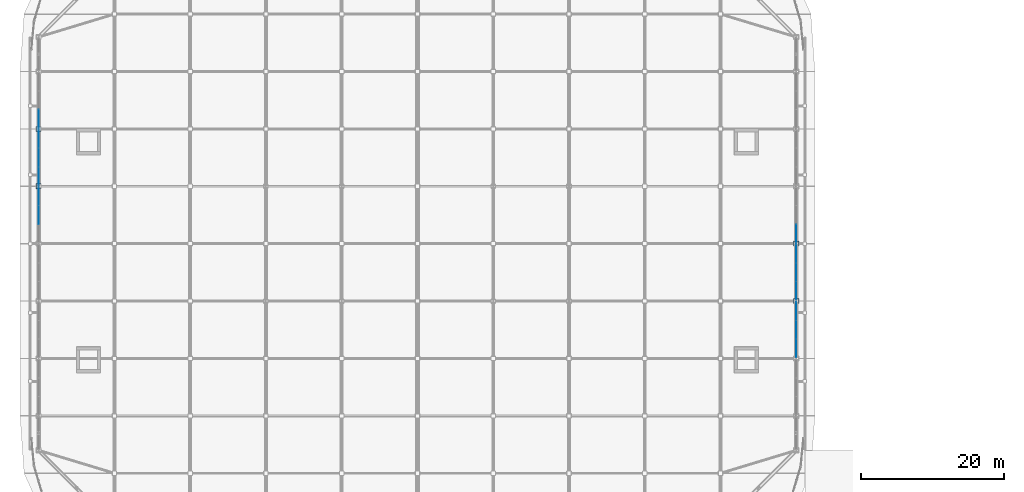
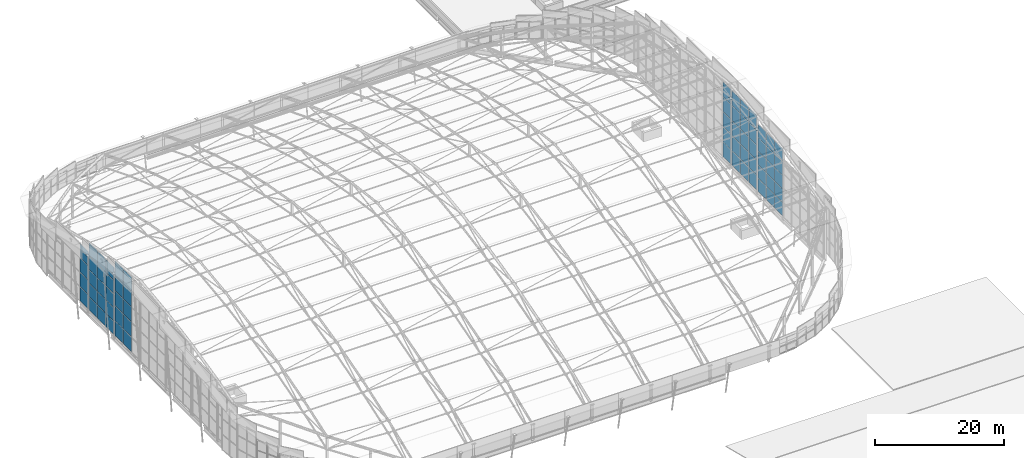
# One storey, part 35 of 42: 68 plates, 6 elements without a shape of their own.
"""IFC4 building model written with IfcOpenShell, lengths in metres."""

from ifc_helpers import new_model, si_unit, direction, frame, origin, origin_2d, place, context, subcontext, project, spatial, rectangle, extrude, material, layer, layer_set, type_object, element, aggregate, save


model = new_model("IFC4")

# Units and contexts
model_context = context("Model", 3, precision=1e-05, world=origin(), true_north=direction((0.0, 1.0)))
body_context = subcontext(model_context, "Body", "Model", "MODEL_VIEW")
ifc_project = project(units=[si_unit("LENGTHUNIT", "METRE"), si_unit("AREAUNIT", "SQUARE_METRE"), si_unit("VOLUMEUNIT", "CUBIC_METRE"), si_unit("PLANEANGLEUNIT", "RADIAN"), si_unit("MASSUNIT", "GRAM", prefix="KILO")], contexts=[model_context])

# Site, building, storey
site_placement = place(None, origin())
site = spatial("IfcSite", under=ifc_project, at=site_placement, CompositionType="ELEMENT")
building_placement = place(site_placement, origin())
building = spatial("IfcBuilding", under=site, at=building_placement, Name="Caelomonte Colonnade Arena", CompositionType="ELEMENT")
storey_placement = place(building_placement, frame((0.0, 0.0, 28.199951171875)))
storey = spatial("IfcBuildingStorey", under=building, at=storey_placement, Name="RF", CompositionType="ELEMENT", Elevation=28.199951171875)

# Curtain wall, plates
ifc_material_1 = material(Name="Bronze anodised aluminium and low-E glazing", Category="aluminium")
ifc_layer_1 = layer(ifc_material_1, 0.179931640625)
ifc_layer_set_1 = layer_set([ifc_layer_1], Name="Bronze anodised aluminium and low-E glazing")
curtain_wall_type_1 = type_object("IfcCurtainWallType", Name="ENV-CW-CW-TYMP-05", PredefinedType="USERDEFINED", material=ifc_layer_set_1)
curtain_wall_1_placement = place(storey_placement, origin())
curtain_wall_1 = element("IfcCurtainWall", 1, at=curtain_wall_1_placement, inside=storey, type_object=curtain_wall_type_1, Name="Barrel arch W clerestory tympanum curtain wall 5", ObjectType="UNITIZED CURTAIN WALL", PredefinedType="USERDEFINED")
ifc_material_2 = material(Name="Solar-control bronze low-E double glazing", Category="glass")
ifc_layer_2 = layer(ifc_material_2, 0.035888671875)
ifc_layer_set_2 = layer_set([ifc_layer_2], Name="Solar-control bronze low-E double glazing")
plate_type_1 = type_object("IfcPlateType", Name="ENV-CW-PAN36", PredefinedType="CURTAIN_PANEL", material=ifc_layer_set_2)
plate_1_placement = place(storey_placement, frame((57.60009765625, 73.7958984375, -0.079833984375), z_axis=(0.0, 0.0, 1.0), x_axis=(0.0, -1.0, 0.0)))
plate_1 = element("IfcPlate", 2, at=plate_1_placement, type_object=plate_type_1, Name="CW-TYMP-05 panel 1.1", PredefinedType="CURTAIN_PANEL", context=body_context, shape_type="SweptSolid", body=[
    extrude(rectangle(XDim=2.50830078125, YDim=0.035888671875, at=origin_2d()), origin(), (0.0, 0.0, 1.0), 2.751953125),
])
plate_2_placement = place(storey_placement, frame((57.60009765625, 73.7958984375, 2.741943359375), z_axis=(0.0, 0.0, 1.0), x_axis=(0.0, -1.0, 0.0)))
plate_2 = element("IfcPlate", 3, at=plate_2_placement, type_object=plate_type_1, Name="CW-TYMP-05 panel 1.2", PredefinedType="CURTAIN_PANEL", context=body_context, shape_type="SweptSolid", body=[
    extrude(rectangle(XDim=2.50830078125, YDim=0.035888671875, at=origin_2d()), origin(), (0.0, 0.0, 1.0), 2.787109375),
])
plate_3_placement = place(storey_placement, frame((57.60009765625, 73.7958984375, 5.598876953125), z_axis=(0.0, 0.0, 1.0), x_axis=(0.0, -1.0, 0.0)))
plate_3 = element("IfcPlate", 4, at=plate_3_placement, type_object=plate_type_1, Name="CW-TYMP-05 panel 1.3", PredefinedType="CURTAIN_PANEL", context=body_context, shape_type="SweptSolid", body=[
    extrude(rectangle(XDim=2.50830078125, YDim=0.035888671875, at=origin_2d()), origin(), (0.0, 0.0, 1.0), 2.787109375),
])
plate_4_placement = place(storey_placement, frame((57.60009765625, 73.7958984375, 8.4560546875), z_axis=(0.0, 0.0, 1.0), x_axis=(0.0, -1.0, 0.0)))
plate_4 = element("IfcPlate", 5, at=plate_4_placement, type_object=plate_type_1, Name="CW-TYMP-05 panel 1.4", PredefinedType="CURTAIN_PANEL", context=body_context, shape_type="SweptSolid", body=[
    extrude(rectangle(XDim=2.50830078125, YDim=0.035888671875, at=origin_2d()), origin(), (0.0, 0.0, 1.0), 2.787109375),
])
plate_5_placement = place(storey_placement, frame((57.60009765625, 73.7958984375, 11.31298828125), z_axis=(0.0, 0.0, 1.0), x_axis=(0.0, -1.0, 0.0)))
plate_5 = element("IfcPlate", 6, at=plate_5_placement, type_object=plate_type_1, Name="CW-TYMP-05 panel 1.5", PredefinedType="CURTAIN_PANEL", context=body_context, shape_type="SweptSolid", body=[
    extrude(rectangle(XDim=2.50830078125, YDim=0.035888671875, at=origin_2d()), origin(), (0.0, 0.0, 1.0), 2.751953125),
])
plate_6_placement = place(storey_placement, frame((57.60009765625, 71.199951171875, -0.079833984375), z_axis=(0.0, 0.0, 1.0), x_axis=(0.0, -1.0, 0.0)))
plate_6 = element("IfcPlate", 7, at=plate_6_placement, type_object=plate_type_1, Name="CW-TYMP-05 panel 2.1", PredefinedType="CURTAIN_PANEL", context=body_context, shape_type="SweptSolid", body=[
    extrude(rectangle(XDim=2.543212890625, YDim=0.035888671875, at=origin_2d()), origin(), (0.0, 0.0, 1.0), 2.751953125),
])
plate_7_placement = place(storey_placement, frame((57.60009765625, 71.199951171875, 2.741943359375), z_axis=(0.0, 0.0, 1.0), x_axis=(0.0, -1.0, 0.0)))
plate_7 = element("IfcPlate", 8, at=plate_7_placement, type_object=plate_type_1, Name="CW-TYMP-05 panel 2.2", PredefinedType="CURTAIN_PANEL", context=body_context, shape_type="SweptSolid", body=[
    extrude(rectangle(XDim=2.543212890625, YDim=0.035888671875, at=origin_2d()), origin(), (0.0, 0.0, 1.0), 2.787109375),
])
plate_8_placement = place(storey_placement, frame((57.60009765625, 71.199951171875, 5.598876953125), z_axis=(0.0, 0.0, 1.0), x_axis=(0.0, -1.0, 0.0)))
plate_8 = element("IfcPlate", 9, at=plate_8_placement, type_object=plate_type_1, Name="CW-TYMP-05 panel 2.3", PredefinedType="CURTAIN_PANEL", context=body_context, shape_type="SweptSolid", body=[
    extrude(rectangle(XDim=2.543212890625, YDim=0.035888671875, at=origin_2d()), origin(), (0.0, 0.0, 1.0), 2.787109375),
])
plate_9_placement = place(storey_placement, frame((57.60009765625, 71.199951171875, 8.4560546875), z_axis=(0.0, 0.0, 1.0), x_axis=(0.0, -1.0, 0.0)))
plate_9 = element("IfcPlate", 10, at=plate_9_placement, type_object=plate_type_1, Name="CW-TYMP-05 panel 2.4", PredefinedType="CURTAIN_PANEL", context=body_context, shape_type="SweptSolid", body=[
    extrude(rectangle(XDim=2.543212890625, YDim=0.035888671875, at=origin_2d()), origin(), (0.0, 0.0, 1.0), 2.787109375),
])
plate_10_placement = place(storey_placement, frame((57.60009765625, 71.199951171875, 11.31298828125), z_axis=(0.0, 0.0, 1.0), x_axis=(0.0, -1.0, 0.0)))
plate_10 = element("IfcPlate", 11, at=plate_10_placement, type_object=plate_type_1, Name="CW-TYMP-05 panel 2.5", PredefinedType="CURTAIN_PANEL", context=body_context, shape_type="SweptSolid", body=[
    extrude(rectangle(XDim=2.543212890625, YDim=0.035888671875, at=origin_2d()), origin(), (0.0, 0.0, 1.0), 2.751953125),
])
aggregate(curtain_wall_1, [plate_1, plate_2, plate_3, plate_4, plate_5, plate_6, plate_7, plate_8, plate_9, plate_10])

ifc_layer_3 = layer(ifc_material_1, 0.179931640625)
ifc_layer_set_3 = layer_set([ifc_layer_3], Name="Bronze anodised aluminium and low-E glazing")
curtain_wall_type_2 = type_object("IfcCurtainWallType", Name="ENV-CW-CW-TYMP-06", PredefinedType="USERDEFINED", material=ifc_layer_set_3)
curtain_wall_2_placement = place(storey_placement, origin())
curtain_wall_2 = element("IfcCurtainWall", 12, at=curtain_wall_2_placement, inside=storey, type_object=curtain_wall_type_2, Name="Barrel arch W clerestory tympanum curtain wall 6", ObjectType="UNITIZED CURTAIN WALL", PredefinedType="USERDEFINED")
plate_11_placement = place(storey_placement, frame((57.60009765625, 81.7958984375, -0.080078125), z_axis=(0.0, 0.0, 1.0), x_axis=(0.0, -1.0, 0.0)))
plate_11 = element("IfcPlate", 13, at=plate_11_placement, type_object=plate_type_1, Name="CW-TYMP-06 panel 1.1", PredefinedType="CURTAIN_PANEL", context=body_context, shape_type="SweptSolid", body=[
    extrude(rectangle(XDim=2.50830078125, YDim=0.035888671875, at=origin_2d()), origin(), (0.0, 0.0, 1.0), 2.462158203125),
])
plate_12_placement = place(storey_placement, frame((57.60009765625, 81.7958984375, 2.4521484375), z_axis=(0.0, 0.0, 1.0), x_axis=(0.0, -1.0, 0.0)))
plate_12 = element("IfcPlate", 14, at=plate_12_placement, type_object=plate_type_1, Name="CW-TYMP-06 panel 1.2", PredefinedType="CURTAIN_PANEL", context=body_context, shape_type="SweptSolid", body=[
    extrude(rectangle(XDim=2.50830078125, YDim=0.035888671875, at=origin_2d()), origin(), (0.0, 0.0, 1.0), 2.497314453125),
])
plate_13_placement = place(storey_placement, frame((57.60009765625, 81.7958984375, 5.01953125), z_axis=(0.0, 0.0, 1.0), x_axis=(0.0, -1.0, 0.0)))
plate_13 = element("IfcPlate", 15, at=plate_13_placement, type_object=plate_type_1, Name="CW-TYMP-06 panel 1.3", PredefinedType="CURTAIN_PANEL", context=body_context, shape_type="SweptSolid", body=[
    extrude(rectangle(XDim=2.50830078125, YDim=0.035888671875, at=origin_2d()), origin(), (0.0, 0.0, 1.0), 2.497314453125),
])
plate_14_placement = place(storey_placement, frame((57.60009765625, 81.7958984375, 7.58642578125), z_axis=(0.0, 0.0, 1.0), x_axis=(0.0, -1.0, 0.0)))
plate_14 = element("IfcPlate", 16, at=plate_14_placement, type_object=plate_type_1, Name="CW-TYMP-06 panel 1.4", PredefinedType="CURTAIN_PANEL", context=body_context, shape_type="SweptSolid", body=[
    extrude(rectangle(XDim=2.50830078125, YDim=0.035888671875, at=origin_2d()), origin(), (0.0, 0.0, 1.0), 2.497314453125),
])
plate_15_placement = place(storey_placement, frame((57.60009765625, 81.7958984375, 10.15380859375), z_axis=(0.0, 0.0, 1.0), x_axis=(0.0, -1.0, 0.0)))
plate_15 = element("IfcPlate", 17, at=plate_15_placement, type_object=plate_type_1, Name="CW-TYMP-06 panel 1.5", PredefinedType="CURTAIN_PANEL", context=body_context, shape_type="SweptSolid", body=[
    extrude(rectangle(XDim=2.50830078125, YDim=0.035888671875, at=origin_2d()), origin(), (0.0, 0.0, 1.0), 2.462158203125),
])
plate_16_placement = place(storey_placement, frame((57.60009765625, 79.199951171875, -0.080078125), z_axis=(0.0, 0.0, 1.0), x_axis=(0.0, -1.0, 0.0)))
plate_16 = element("IfcPlate", 18, at=plate_16_placement, type_object=plate_type_1, Name="CW-TYMP-06 panel 2.1", PredefinedType="CURTAIN_PANEL", context=body_context, shape_type="SweptSolid", body=[
    extrude(rectangle(XDim=2.543212890625, YDim=0.035888671875, at=origin_2d()), origin(), (0.0, 0.0, 1.0), 2.462158203125),
])
plate_17_placement = place(storey_placement, frame((57.60009765625, 79.199951171875, 2.4521484375), z_axis=(0.0, 0.0, 1.0), x_axis=(0.0, -1.0, 0.0)))
plate_17 = element("IfcPlate", 19, at=plate_17_placement, type_object=plate_type_1, Name="CW-TYMP-06 panel 2.2", PredefinedType="CURTAIN_PANEL", context=body_context, shape_type="SweptSolid", body=[
    extrude(rectangle(XDim=2.543212890625, YDim=0.035888671875, at=origin_2d()), origin(), (0.0, 0.0, 1.0), 2.497314453125),
])
plate_18_placement = place(storey_placement, frame((57.60009765625, 79.199951171875, 5.01953125), z_axis=(0.0, 0.0, 1.0), x_axis=(0.0, -1.0, 0.0)))
plate_18 = element("IfcPlate", 20, at=plate_18_placement, type_object=plate_type_1, Name="CW-TYMP-06 panel 2.3", PredefinedType="CURTAIN_PANEL", context=body_context, shape_type="SweptSolid", body=[
    extrude(rectangle(XDim=2.543212890625, YDim=0.035888671875, at=origin_2d()), origin(), (0.0, 0.0, 1.0), 2.497314453125),
])
plate_19_placement = place(storey_placement, frame((57.60009765625, 79.199951171875, 7.58642578125), z_axis=(0.0, 0.0, 1.0), x_axis=(0.0, -1.0, 0.0)))
plate_19 = element("IfcPlate", 21, at=plate_19_placement, type_object=plate_type_1, Name="CW-TYMP-06 panel 2.4", PredefinedType="CURTAIN_PANEL", context=body_context, shape_type="SweptSolid", body=[
    extrude(rectangle(XDim=2.543212890625, YDim=0.035888671875, at=origin_2d()), origin(), (0.0, 0.0, 1.0), 2.497314453125),
])
plate_20_placement = place(storey_placement, frame((57.60009765625, 79.199951171875, 10.15380859375), z_axis=(0.0, 0.0, 1.0), x_axis=(0.0, -1.0, 0.0)))
plate_20 = element("IfcPlate", 22, at=plate_20_placement, type_object=plate_type_1, Name="CW-TYMP-06 panel 2.5", PredefinedType="CURTAIN_PANEL", context=body_context, shape_type="SweptSolid", body=[
    extrude(rectangle(XDim=2.543212890625, YDim=0.035888671875, at=origin_2d()), origin(), (0.0, 0.0, 1.0), 2.462158203125),
])
plate_21_placement = place(storey_placement, frame((57.60009765625, 76.604248046875, -0.080078125), z_axis=(0.0, 0.0, 1.0), x_axis=(0.0, -1.0, 0.0)))
plate_21 = element("IfcPlate", 23, at=plate_21_placement, type_object=plate_type_1, Name="CW-TYMP-06 panel 3.1", PredefinedType="CURTAIN_PANEL", context=body_context, shape_type="SweptSolid", body=[
    extrude(rectangle(XDim=2.50830078125, YDim=0.035888671875, at=origin_2d()), origin(), (0.0, 0.0, 1.0), 2.462158203125),
])
plate_22_placement = place(storey_placement, frame((57.60009765625, 76.604248046875, 2.4521484375), z_axis=(0.0, 0.0, 1.0), x_axis=(0.0, -1.0, 0.0)))
plate_22 = element("IfcPlate", 24, at=plate_22_placement, type_object=plate_type_1, Name="CW-TYMP-06 panel 3.2", PredefinedType="CURTAIN_PANEL", context=body_context, shape_type="SweptSolid", body=[
    extrude(rectangle(XDim=2.50830078125, YDim=0.035888671875, at=origin_2d()), origin(), (0.0, 0.0, 1.0), 2.497314453125),
])
plate_23_placement = place(storey_placement, frame((57.60009765625, 76.604248046875, 5.01953125), z_axis=(0.0, 0.0, 1.0), x_axis=(0.0, -1.0, 0.0)))
plate_23 = element("IfcPlate", 25, at=plate_23_placement, type_object=plate_type_1, Name="CW-TYMP-06 panel 3.3", PredefinedType="CURTAIN_PANEL", context=body_context, shape_type="SweptSolid", body=[
    extrude(rectangle(XDim=2.50830078125, YDim=0.035888671875, at=origin_2d()), origin(), (0.0, 0.0, 1.0), 2.497314453125),
])
plate_24_placement = place(storey_placement, frame((57.60009765625, 76.604248046875, 7.58642578125), z_axis=(0.0, 0.0, 1.0), x_axis=(0.0, -1.0, 0.0)))
plate_24 = element("IfcPlate", 26, at=plate_24_placement, type_object=plate_type_1, Name="CW-TYMP-06 panel 3.4", PredefinedType="CURTAIN_PANEL", context=body_context, shape_type="SweptSolid", body=[
    extrude(rectangle(XDim=2.50830078125, YDim=0.035888671875, at=origin_2d()), origin(), (0.0, 0.0, 1.0), 2.497314453125),
])
plate_25_placement = place(storey_placement, frame((57.60009765625, 76.604248046875, 10.15380859375), z_axis=(0.0, 0.0, 1.0), x_axis=(0.0, -1.0, 0.0)))
plate_25 = element("IfcPlate", 27, at=plate_25_placement, type_object=plate_type_1, Name="CW-TYMP-06 panel 3.5", PredefinedType="CURTAIN_PANEL", context=body_context, shape_type="SweptSolid", body=[
    extrude(rectangle(XDim=2.50830078125, YDim=0.035888671875, at=origin_2d()), origin(), (0.0, 0.0, 1.0), 2.462158203125),
])
aggregate(curtain_wall_2, [plate_11, plate_12, plate_13, plate_14, plate_15, plate_16, plate_17, plate_18, plate_19, plate_20, plate_21, plate_22, plate_23, plate_24, plate_25])

ifc_layer_4 = layer(ifc_material_1, 0.179931640625)
ifc_layer_set_4 = layer_set([ifc_layer_4], Name="Bronze anodised aluminium and low-E glazing")
curtain_wall_type_3 = type_object("IfcCurtainWallType", Name="ENV-CW-CW-TYMP-07", PredefinedType="USERDEFINED", material=ifc_layer_set_4)
curtain_wall_3_placement = place(storey_placement, origin())
curtain_wall_3 = element("IfcCurtainWall", 28, at=curtain_wall_3_placement, inside=storey, type_object=curtain_wall_type_3, Name="Barrel arch W clerestory tympanum curtain wall 7", ObjectType="UNITIZED CURTAIN WALL", PredefinedType="USERDEFINED")
plate_26_placement = place(storey_placement, frame((57.60009765625, 84.604248046875, -0.079833984375), z_axis=(0.0, 0.0, 1.0), x_axis=(0.0, -1.0, 0.0)))
plate_26 = element("IfcPlate", 29, at=plate_26_placement, type_object=plate_type_1, Name="CW-TYMP-07 panel 3.1", PredefinedType="CURTAIN_PANEL", context=body_context, shape_type="SweptSolid", body=[
    extrude(rectangle(XDim=2.50830078125, YDim=0.035888671875, at=origin_2d()), origin(), (0.0, 0.0, 1.0), 2.63330078125),
])
plate_27_placement = place(storey_placement, frame((57.60009765625, 84.604248046875, 2.62353515625), z_axis=(0.0, 0.0, 1.0), x_axis=(0.0, -1.0, 0.0)))
plate_27 = element("IfcPlate", 30, at=plate_27_placement, type_object=plate_type_1, Name="CW-TYMP-07 panel 3.2", PredefinedType="CURTAIN_PANEL", context=body_context, shape_type="SweptSolid", body=[
    extrude(rectangle(XDim=2.50830078125, YDim=0.035888671875, at=origin_2d()), origin(), (0.0, 0.0, 1.0), 2.668212890625),
])
plate_28_placement = place(storey_placement, frame((57.60009765625, 84.604248046875, 5.361328125), z_axis=(0.0, 0.0, 1.0), x_axis=(0.0, -1.0, 0.0)))
plate_28 = element("IfcPlate", 31, at=plate_28_placement, type_object=plate_type_1, Name="CW-TYMP-07 panel 3.3", PredefinedType="CURTAIN_PANEL", context=body_context, shape_type="SweptSolid", body=[
    extrude(rectangle(XDim=2.50830078125, YDim=0.035888671875, at=origin_2d()), origin(), (0.0, 0.0, 1.0), 2.668212890625),
])
plate_29_placement = place(storey_placement, frame((57.60009765625, 84.604248046875, 8.099853515625), z_axis=(0.0, 0.0, 1.0), x_axis=(0.0, -1.0, 0.0)))
plate_29 = element("IfcPlate", 32, at=plate_29_placement, type_object=plate_type_1, Name="CW-TYMP-07 panel 3.4", PredefinedType="CURTAIN_PANEL", context=body_context, shape_type="SweptSolid", body=[
    extrude(rectangle(XDim=2.50830078125, YDim=0.035888671875, at=origin_2d()), origin(), (0.0, 0.0, 1.0), 2.63330078125),
])
aggregate(curtain_wall_3, [plate_26, plate_27, plate_28, plate_29])

ifc_layer_5 = layer(ifc_material_1, 0.179931640625)
ifc_layer_set_5 = layer_set([ifc_layer_5], Name="Bronze anodised aluminium and low-E glazing")
curtain_wall_type_4 = type_object("IfcCurtainWallType", Name="ENV-CW-CW-TYMP-03", PredefinedType="USERDEFINED", material=ifc_layer_set_5)
curtain_wall_4_placement = place(storey_placement, origin())
curtain_wall_4 = element("IfcCurtainWall", 33, at=curtain_wall_4_placement, inside=storey, type_object=curtain_wall_type_4, Name="Barrel arch E clerestory tympanum curtain wall 3", ObjectType="UNITIZED CURTAIN WALL", PredefinedType="USERDEFINED")
plate_30_placement = place(storey_placement, frame((163.199951171875, 52.604248046875, -0.080078125), z_axis=(0.0, 0.0, 1.0), x_axis=(0.0, 1.0, 0.0)))
plate_30 = element("IfcPlate", 34, at=plate_30_placement, type_object=plate_type_1, Name="CW-TYMP-03 panel 1.1", PredefinedType="CURTAIN_PANEL", context=body_context, shape_type="SweptSolid", body=[
    extrude(rectangle(XDim=2.50830078125, YDim=0.035888671875, at=origin_2d()), origin(), (0.0, 0.0, 1.0), 2.462158203125),
])
plate_31_placement = place(storey_placement, frame((163.199951171875, 52.604248046875, 2.4521484375), z_axis=(0.0, 0.0, 1.0), x_axis=(0.0, 1.0, 0.0)))
plate_31 = element("IfcPlate", 35, at=plate_31_placement, type_object=plate_type_1, Name="CW-TYMP-03 panel 1.2", PredefinedType="CURTAIN_PANEL", context=body_context, shape_type="SweptSolid", body=[
    extrude(rectangle(XDim=2.50830078125, YDim=0.035888671875, at=origin_2d()), origin(), (0.0, 0.0, 1.0), 2.497314453125),
])
plate_32_placement = place(storey_placement, frame((163.199951171875, 52.604248046875, 5.01953125), z_axis=(0.0, 0.0, 1.0), x_axis=(0.0, 1.0, 0.0)))
plate_32 = element("IfcPlate", 36, at=plate_32_placement, type_object=plate_type_1, Name="CW-TYMP-03 panel 1.3", PredefinedType="CURTAIN_PANEL", context=body_context, shape_type="SweptSolid", body=[
    extrude(rectangle(XDim=2.50830078125, YDim=0.035888671875, at=origin_2d()), origin(), (0.0, 0.0, 1.0), 2.497314453125),
])
plate_33_placement = place(storey_placement, frame((163.199951171875, 52.604248046875, 7.58642578125), z_axis=(0.0, 0.0, 1.0), x_axis=(0.0, 1.0, 0.0)))
plate_33 = element("IfcPlate", 37, at=plate_33_placement, type_object=plate_type_1, Name="CW-TYMP-03 panel 1.4", PredefinedType="CURTAIN_PANEL", context=body_context, shape_type="SweptSolid", body=[
    extrude(rectangle(XDim=2.50830078125, YDim=0.035888671875, at=origin_2d()), origin(), (0.0, 0.0, 1.0), 2.497314453125),
])
plate_34_placement = place(storey_placement, frame((163.199951171875, 52.604248046875, 10.15380859375), z_axis=(0.0, 0.0, 1.0), x_axis=(0.0, 1.0, 0.0)))
plate_34 = element("IfcPlate", 38, at=plate_34_placement, type_object=plate_type_1, Name="CW-TYMP-03 panel 1.5", PredefinedType="CURTAIN_PANEL", context=body_context, shape_type="SweptSolid", body=[
    extrude(rectangle(XDim=2.50830078125, YDim=0.035888671875, at=origin_2d()), origin(), (0.0, 0.0, 1.0), 2.462158203125),
])
plate_35_placement = place(storey_placement, frame((163.199951171875, 55.199951171875, -0.080078125), z_axis=(0.0, 0.0, 1.0), x_axis=(0.0, 1.0, 0.0)))
plate_35 = element("IfcPlate", 39, at=plate_35_placement, type_object=plate_type_1, Name="CW-TYMP-03 panel 2.1", PredefinedType="CURTAIN_PANEL", context=body_context, shape_type="SweptSolid", body=[
    extrude(rectangle(XDim=2.543212890625, YDim=0.035888671875, at=origin_2d()), origin(), (0.0, 0.0, 1.0), 2.462158203125),
])
plate_36_placement = place(storey_placement, frame((163.199951171875, 55.199951171875, 2.4521484375), z_axis=(0.0, 0.0, 1.0), x_axis=(0.0, 1.0, 0.0)))
plate_36 = element("IfcPlate", 40, at=plate_36_placement, type_object=plate_type_1, Name="CW-TYMP-03 panel 2.2", PredefinedType="CURTAIN_PANEL", context=body_context, shape_type="SweptSolid", body=[
    extrude(rectangle(XDim=2.543212890625, YDim=0.035888671875, at=origin_2d()), origin(), (0.0, 0.0, 1.0), 2.497314453125),
])
plate_37_placement = place(storey_placement, frame((163.199951171875, 55.199951171875, 5.01953125), z_axis=(0.0, 0.0, 1.0), x_axis=(0.0, 1.0, 0.0)))
plate_37 = element("IfcPlate", 41, at=plate_37_placement, type_object=plate_type_1, Name="CW-TYMP-03 panel 2.3", PredefinedType="CURTAIN_PANEL", context=body_context, shape_type="SweptSolid", body=[
    extrude(rectangle(XDim=2.543212890625, YDim=0.035888671875, at=origin_2d()), origin(), (0.0, 0.0, 1.0), 2.497314453125),
])
plate_38_placement = place(storey_placement, frame((163.199951171875, 55.199951171875, 7.58642578125), z_axis=(0.0, 0.0, 1.0), x_axis=(0.0, 1.0, 0.0)))
plate_38 = element("IfcPlate", 42, at=plate_38_placement, type_object=plate_type_1, Name="CW-TYMP-03 panel 2.4", PredefinedType="CURTAIN_PANEL", context=body_context, shape_type="SweptSolid", body=[
    extrude(rectangle(XDim=2.543212890625, YDim=0.035888671875, at=origin_2d()), origin(), (0.0, 0.0, 1.0), 2.497314453125),
])
plate_39_placement = place(storey_placement, frame((163.199951171875, 55.199951171875, 10.15380859375), z_axis=(0.0, 0.0, 1.0), x_axis=(0.0, 1.0, 0.0)))
plate_39 = element("IfcPlate", 43, at=plate_39_placement, type_object=plate_type_1, Name="CW-TYMP-03 panel 2.5", PredefinedType="CURTAIN_PANEL", context=body_context, shape_type="SweptSolid", body=[
    extrude(rectangle(XDim=2.543212890625, YDim=0.035888671875, at=origin_2d()), origin(), (0.0, 0.0, 1.0), 2.462158203125),
])
plate_40_placement = place(storey_placement, frame((163.199951171875, 57.7958984375, -0.080078125), z_axis=(0.0, 0.0, 1.0), x_axis=(0.0, 1.0, 0.0)))
plate_40 = element("IfcPlate", 44, at=plate_40_placement, type_object=plate_type_1, Name="CW-TYMP-03 panel 3.1", PredefinedType="CURTAIN_PANEL", context=body_context, shape_type="SweptSolid", body=[
    extrude(rectangle(XDim=2.50830078125, YDim=0.035888671875, at=origin_2d()), origin(), (0.0, 0.0, 1.0), 2.462158203125),
])
plate_41_placement = place(storey_placement, frame((163.199951171875, 57.7958984375, 2.4521484375), z_axis=(0.0, 0.0, 1.0), x_axis=(0.0, 1.0, 0.0)))
plate_41 = element("IfcPlate", 45, at=plate_41_placement, type_object=plate_type_1, Name="CW-TYMP-03 panel 3.2", PredefinedType="CURTAIN_PANEL", context=body_context, shape_type="SweptSolid", body=[
    extrude(rectangle(XDim=2.50830078125, YDim=0.035888671875, at=origin_2d()), origin(), (0.0, 0.0, 1.0), 2.497314453125),
])
plate_42_placement = place(storey_placement, frame((163.199951171875, 57.7958984375, 5.01953125), z_axis=(0.0, 0.0, 1.0), x_axis=(0.0, 1.0, 0.0)))
plate_42 = element("IfcPlate", 46, at=plate_42_placement, type_object=plate_type_1, Name="CW-TYMP-03 panel 3.3", PredefinedType="CURTAIN_PANEL", context=body_context, shape_type="SweptSolid", body=[
    extrude(rectangle(XDim=2.50830078125, YDim=0.035888671875, at=origin_2d()), origin(), (0.0, 0.0, 1.0), 2.497314453125),
])
plate_43_placement = place(storey_placement, frame((163.199951171875, 57.7958984375, 7.58642578125), z_axis=(0.0, 0.0, 1.0), x_axis=(0.0, 1.0, 0.0)))
plate_43 = element("IfcPlate", 47, at=plate_43_placement, type_object=plate_type_1, Name="CW-TYMP-03 panel 3.4", PredefinedType="CURTAIN_PANEL", context=body_context, shape_type="SweptSolid", body=[
    extrude(rectangle(XDim=2.50830078125, YDim=0.035888671875, at=origin_2d()), origin(), (0.0, 0.0, 1.0), 2.497314453125),
])
plate_44_placement = place(storey_placement, frame((163.199951171875, 57.7958984375, 10.15380859375), z_axis=(0.0, 0.0, 1.0), x_axis=(0.0, 1.0, 0.0)))
plate_44 = element("IfcPlate", 48, at=plate_44_placement, type_object=plate_type_1, Name="CW-TYMP-03 panel 3.5", PredefinedType="CURTAIN_PANEL", context=body_context, shape_type="SweptSolid", body=[
    extrude(rectangle(XDim=2.50830078125, YDim=0.035888671875, at=origin_2d()), origin(), (0.0, 0.0, 1.0), 2.462158203125),
])
aggregate(curtain_wall_4, [plate_30, plate_31, plate_32, plate_33, plate_34, plate_35, plate_36, plate_37, plate_38, plate_39, plate_40, plate_41, plate_42, plate_43, plate_44])

ifc_layer_6 = layer(ifc_material_1, 0.179931640625)
ifc_layer_set_6 = layer_set([ifc_layer_6], Name="Bronze anodised aluminium and low-E glazing")
curtain_wall_type_5 = type_object("IfcCurtainWallType", Name="ENV-CW-CW-TYMP-04", PredefinedType="USERDEFINED", material=ifc_layer_set_6)
curtain_wall_5_placement = place(storey_placement, origin())
curtain_wall_5 = element("IfcCurtainWall", 49, at=curtain_wall_5_placement, inside=storey, type_object=curtain_wall_type_5, Name="Barrel arch E clerestory tympanum curtain wall 4", ObjectType="UNITIZED CURTAIN WALL", PredefinedType="USERDEFINED")
plate_45_placement = place(storey_placement, frame((163.199951171875, 60.604248046875, -0.079833984375), z_axis=(0.0, 0.0, 1.0), x_axis=(0.0, 1.0, 0.0)))
plate_45 = element("IfcPlate", 50, at=plate_45_placement, type_object=plate_type_1, Name="CW-TYMP-04 panel 1.1", PredefinedType="CURTAIN_PANEL", context=body_context, shape_type="SweptSolid", body=[
    extrude(rectangle(XDim=2.50830078125, YDim=0.035888671875, at=origin_2d()), origin(), (0.0, 0.0, 1.0), 2.751953125),
])
plate_46_placement = place(storey_placement, frame((163.199951171875, 60.604248046875, 2.741943359375), z_axis=(0.0, 0.0, 1.0), x_axis=(0.0, 1.0, 0.0)))
plate_46 = element("IfcPlate", 51, at=plate_46_placement, type_object=plate_type_1, Name="CW-TYMP-04 panel 1.2", PredefinedType="CURTAIN_PANEL", context=body_context, shape_type="SweptSolid", body=[
    extrude(rectangle(XDim=2.50830078125, YDim=0.035888671875, at=origin_2d()), origin(), (0.0, 0.0, 1.0), 2.787109375),
])
plate_47_placement = place(storey_placement, frame((163.199951171875, 60.604248046875, 5.598876953125), z_axis=(0.0, 0.0, 1.0), x_axis=(0.0, 1.0, 0.0)))
plate_47 = element("IfcPlate", 52, at=plate_47_placement, type_object=plate_type_1, Name="CW-TYMP-04 panel 1.3", PredefinedType="CURTAIN_PANEL", context=body_context, shape_type="SweptSolid", body=[
    extrude(rectangle(XDim=2.50830078125, YDim=0.035888671875, at=origin_2d()), origin(), (0.0, 0.0, 1.0), 2.787109375),
])
plate_48_placement = place(storey_placement, frame((163.199951171875, 60.604248046875, 8.4560546875), z_axis=(0.0, 0.0, 1.0), x_axis=(0.0, 1.0, 0.0)))
plate_48 = element("IfcPlate", 53, at=plate_48_placement, type_object=plate_type_1, Name="CW-TYMP-04 panel 1.4", PredefinedType="CURTAIN_PANEL", context=body_context, shape_type="SweptSolid", body=[
    extrude(rectangle(XDim=2.50830078125, YDim=0.035888671875, at=origin_2d()), origin(), (0.0, 0.0, 1.0), 2.787109375),
])
plate_49_placement = place(storey_placement, frame((163.199951171875, 60.604248046875, 11.31298828125), z_axis=(0.0, 0.0, 1.0), x_axis=(0.0, 1.0, 0.0)))
plate_49 = element("IfcPlate", 54, at=plate_49_placement, type_object=plate_type_1, Name="CW-TYMP-04 panel 1.5", PredefinedType="CURTAIN_PANEL", context=body_context, shape_type="SweptSolid", body=[
    extrude(rectangle(XDim=2.50830078125, YDim=0.035888671875, at=origin_2d()), origin(), (0.0, 0.0, 1.0), 2.751953125),
])
plate_50_placement = place(storey_placement, frame((163.199951171875, 63.199951171875, -0.079833984375), z_axis=(0.0, 0.0, 1.0), x_axis=(0.0, 1.0, 0.0)))
plate_50 = element("IfcPlate", 55, at=plate_50_placement, type_object=plate_type_1, Name="CW-TYMP-04 panel 2.1", PredefinedType="CURTAIN_PANEL", context=body_context, shape_type="SweptSolid", body=[
    extrude(rectangle(XDim=2.543212890625, YDim=0.035888671875, at=origin_2d()), origin(), (0.0, 0.0, 1.0), 2.751953125),
])
plate_51_placement = place(storey_placement, frame((163.199951171875, 63.199951171875, 2.741943359375), z_axis=(0.0, 0.0, 1.0), x_axis=(0.0, 1.0, 0.0)))
plate_51 = element("IfcPlate", 56, at=plate_51_placement, type_object=plate_type_1, Name="CW-TYMP-04 panel 2.2", PredefinedType="CURTAIN_PANEL", context=body_context, shape_type="SweptSolid", body=[
    extrude(rectangle(XDim=2.543212890625, YDim=0.035888671875, at=origin_2d()), origin(), (0.0, 0.0, 1.0), 2.787109375),
])
plate_52_placement = place(storey_placement, frame((163.199951171875, 63.199951171875, 5.598876953125), z_axis=(0.0, 0.0, 1.0), x_axis=(0.0, 1.0, 0.0)))
plate_52 = element("IfcPlate", 57, at=plate_52_placement, type_object=plate_type_1, Name="CW-TYMP-04 panel 2.3", PredefinedType="CURTAIN_PANEL", context=body_context, shape_type="SweptSolid", body=[
    extrude(rectangle(XDim=2.543212890625, YDim=0.035888671875, at=origin_2d()), origin(), (0.0, 0.0, 1.0), 2.787109375),
])
plate_53_placement = place(storey_placement, frame((163.199951171875, 63.199951171875, 8.4560546875), z_axis=(0.0, 0.0, 1.0), x_axis=(0.0, 1.0, 0.0)))
plate_53 = element("IfcPlate", 58, at=plate_53_placement, type_object=plate_type_1, Name="CW-TYMP-04 panel 2.4", PredefinedType="CURTAIN_PANEL", context=body_context, shape_type="SweptSolid", body=[
    extrude(rectangle(XDim=2.543212890625, YDim=0.035888671875, at=origin_2d()), origin(), (0.0, 0.0, 1.0), 2.787109375),
])
plate_54_placement = place(storey_placement, frame((163.199951171875, 63.199951171875, 11.31298828125), z_axis=(0.0, 0.0, 1.0), x_axis=(0.0, 1.0, 0.0)))
plate_54 = element("IfcPlate", 59, at=plate_54_placement, type_object=plate_type_1, Name="CW-TYMP-04 panel 2.5", PredefinedType="CURTAIN_PANEL", context=body_context, shape_type="SweptSolid", body=[
    extrude(rectangle(XDim=2.543212890625, YDim=0.035888671875, at=origin_2d()), origin(), (0.0, 0.0, 1.0), 2.751953125),
])
plate_55_placement = place(storey_placement, frame((163.199951171875, 65.7958984375, -0.079833984375), z_axis=(0.0, 0.0, 1.0), x_axis=(0.0, 1.0, 0.0)))
plate_55 = element("IfcPlate", 60, at=plate_55_placement, type_object=plate_type_1, Name="CW-TYMP-04 panel 3.1", PredefinedType="CURTAIN_PANEL", context=body_context, shape_type="SweptSolid", body=[
    extrude(rectangle(XDim=2.50830078125, YDim=0.035888671875, at=origin_2d()), origin(), (0.0, 0.0, 1.0), 2.751953125),
])
plate_56_placement = place(storey_placement, frame((163.199951171875, 65.7958984375, 2.741943359375), z_axis=(0.0, 0.0, 1.0), x_axis=(0.0, 1.0, 0.0)))
plate_56 = element("IfcPlate", 61, at=plate_56_placement, type_object=plate_type_1, Name="CW-TYMP-04 panel 3.2", PredefinedType="CURTAIN_PANEL", context=body_context, shape_type="SweptSolid", body=[
    extrude(rectangle(XDim=2.50830078125, YDim=0.035888671875, at=origin_2d()), origin(), (0.0, 0.0, 1.0), 2.787109375),
])
plate_57_placement = place(storey_placement, frame((163.199951171875, 65.7958984375, 5.598876953125), z_axis=(0.0, 0.0, 1.0), x_axis=(0.0, 1.0, 0.0)))
plate_57 = element("IfcPlate", 62, at=plate_57_placement, type_object=plate_type_1, Name="CW-TYMP-04 panel 3.3", PredefinedType="CURTAIN_PANEL", context=body_context, shape_type="SweptSolid", body=[
    extrude(rectangle(XDim=2.50830078125, YDim=0.035888671875, at=origin_2d()), origin(), (0.0, 0.0, 1.0), 2.787109375),
])
plate_58_placement = place(storey_placement, frame((163.199951171875, 65.7958984375, 8.4560546875), z_axis=(0.0, 0.0, 1.0), x_axis=(0.0, 1.0, 0.0)))
plate_58 = element("IfcPlate", 63, at=plate_58_placement, type_object=plate_type_1, Name="CW-TYMP-04 panel 3.4", PredefinedType="CURTAIN_PANEL", context=body_context, shape_type="SweptSolid", body=[
    extrude(rectangle(XDim=2.50830078125, YDim=0.035888671875, at=origin_2d()), origin(), (0.0, 0.0, 1.0), 2.787109375),
])
plate_59_placement = place(storey_placement, frame((163.199951171875, 65.7958984375, 11.31298828125), z_axis=(0.0, 0.0, 1.0), x_axis=(0.0, 1.0, 0.0)))
plate_59 = element("IfcPlate", 64, at=plate_59_placement, type_object=plate_type_1, Name="CW-TYMP-04 panel 3.5", PredefinedType="CURTAIN_PANEL", context=body_context, shape_type="SweptSolid", body=[
    extrude(rectangle(XDim=2.50830078125, YDim=0.035888671875, at=origin_2d()), origin(), (0.0, 0.0, 1.0), 2.751953125),
])
aggregate(curtain_wall_5, [plate_45, plate_46, plate_47, plate_48, plate_49, plate_50, plate_51, plate_52, plate_53, plate_54, plate_55, plate_56, plate_57, plate_58, plate_59])

curtain_wall_6_placement = place(storey_placement, origin())
curtain_wall_6 = element("IfcCurtainWall", 65, at=curtain_wall_6_placement, inside=storey, type_object=curtain_wall_type_1, Name="Barrel arch E clerestory tympanum curtain wall 5", ObjectType="UNITIZED CURTAIN WALL", PredefinedType="USERDEFINED")
plate_60_placement = place(storey_placement, frame((163.199951171875, 68.604248046875, -0.079833984375), z_axis=(0.0, 0.0, 1.0), x_axis=(0.0, 1.0, 0.0)))
plate_60 = element("IfcPlate", 66, at=plate_60_placement, type_object=plate_type_1, Name="CW-TYMP-05 panel 1.1", PredefinedType="CURTAIN_PANEL", context=body_context, shape_type="SweptSolid", body=[
    extrude(rectangle(XDim=2.50830078125, YDim=0.035888671875, at=origin_2d()), origin(), (0.0, 0.0, 1.0), 2.751953125),
])
plate_61_placement = place(storey_placement, frame((163.199951171875, 68.604248046875, 2.741943359375), z_axis=(0.0, 0.0, 1.0), x_axis=(0.0, 1.0, 0.0)))
plate_61 = element("IfcPlate", 67, at=plate_61_placement, type_object=plate_type_1, Name="CW-TYMP-05 panel 1.2", PredefinedType="CURTAIN_PANEL", context=body_context, shape_type="SweptSolid", body=[
    extrude(rectangle(XDim=2.50830078125, YDim=0.035888671875, at=origin_2d()), origin(), (0.0, 0.0, 1.0), 2.787109375),
])
plate_62_placement = place(storey_placement, frame((163.199951171875, 68.604248046875, 5.598876953125), z_axis=(0.0, 0.0, 1.0), x_axis=(0.0, 1.0, 0.0)))
plate_62 = element("IfcPlate", 68, at=plate_62_placement, type_object=plate_type_1, Name="CW-TYMP-05 panel 1.3", PredefinedType="CURTAIN_PANEL", context=body_context, shape_type="SweptSolid", body=[
    extrude(rectangle(XDim=2.50830078125, YDim=0.035888671875, at=origin_2d()), origin(), (0.0, 0.0, 1.0), 2.787109375),
])
plate_63_placement = place(storey_placement, frame((163.199951171875, 68.604248046875, 8.4560546875), z_axis=(0.0, 0.0, 1.0), x_axis=(0.0, 1.0, 0.0)))
plate_63 = element("IfcPlate", 69, at=plate_63_placement, type_object=plate_type_1, Name="CW-TYMP-05 panel 1.4", PredefinedType="CURTAIN_PANEL", context=body_context, shape_type="SweptSolid", body=[
    extrude(rectangle(XDim=2.50830078125, YDim=0.035888671875, at=origin_2d()), origin(), (0.0, 0.0, 1.0), 2.787109375),
])
plate_64_placement = place(storey_placement, frame((163.199951171875, 68.604248046875, 11.31298828125), z_axis=(0.0, 0.0, 1.0), x_axis=(0.0, 1.0, 0.0)))
plate_64 = element("IfcPlate", 70, at=plate_64_placement, type_object=plate_type_1, Name="CW-TYMP-05 panel 1.5", PredefinedType="CURTAIN_PANEL", context=body_context, shape_type="SweptSolid", body=[
    extrude(rectangle(XDim=2.50830078125, YDim=0.035888671875, at=origin_2d()), origin(), (0.0, 0.0, 1.0), 2.751953125),
])
aggregate(curtain_wall_6, [plate_60, plate_61, plate_62, plate_63, plate_64])

# Plates
ifc_material_3 = material(Name="Steel ASTM A572 Grade 50", Category="steel")
ifc_layer_7 = layer(ifc_material_3, 0.0400390625)
ifc_layer_set_7 = layer_set([ifc_layer_7], Name="Steel ASTM A572 Grade 50")
plate_type_2 = type_object("IfcPlateType", Name="STR-PL-SN01", PredefinedType="USERDEFINED", material=ifc_layer_set_7)
for number, where, z_axis, x_axis, name in (
    (71, (57.60009765625, 75.199951171875, 11.56494140625), (0.0, 0.0, 1.0), (1.0, 0.0, 0.0), "Space frame bottom node cap plate (0,7)"),
    (72, (57.60009765625, 83.199951171875, 10.115966796875), (0.0, 0.0, 1.0), (1.0, 0.0, 0.0), "Space frame bottom node cap plate (0,8)"),
    (73, (163.199951171875, 59.199951171875, 11.56494140625), (0.0, 0.0, 1.0), (1.0, 0.0, 0.0), "Space frame bottom node cap plate (10,5)"),
    (74, (163.199951171875, 67.199951171875, 12.580078125), (0.0, 0.0, 1.0), (1.0, 0.0, 0.0), "Space frame bottom node cap plate (10,6)"),
):
    element("IfcPlate", number, at=place(storey_placement, frame(where, z_axis=z_axis, x_axis=x_axis)), inside=storey, type_object=plate_type_2, Name=name, ObjectType="NODE CAP PLATE", PredefinedType="USERDEFINED", context=body_context, shape_type="SweptSolid", body=[
        extrude(rectangle(XDim=0.719970703125, YDim=0.719970703125, at=origin_2d()), origin(), (0.0, 0.0, 1.0), 0.0400390625),
    ])

save(model, "model.ifc")
